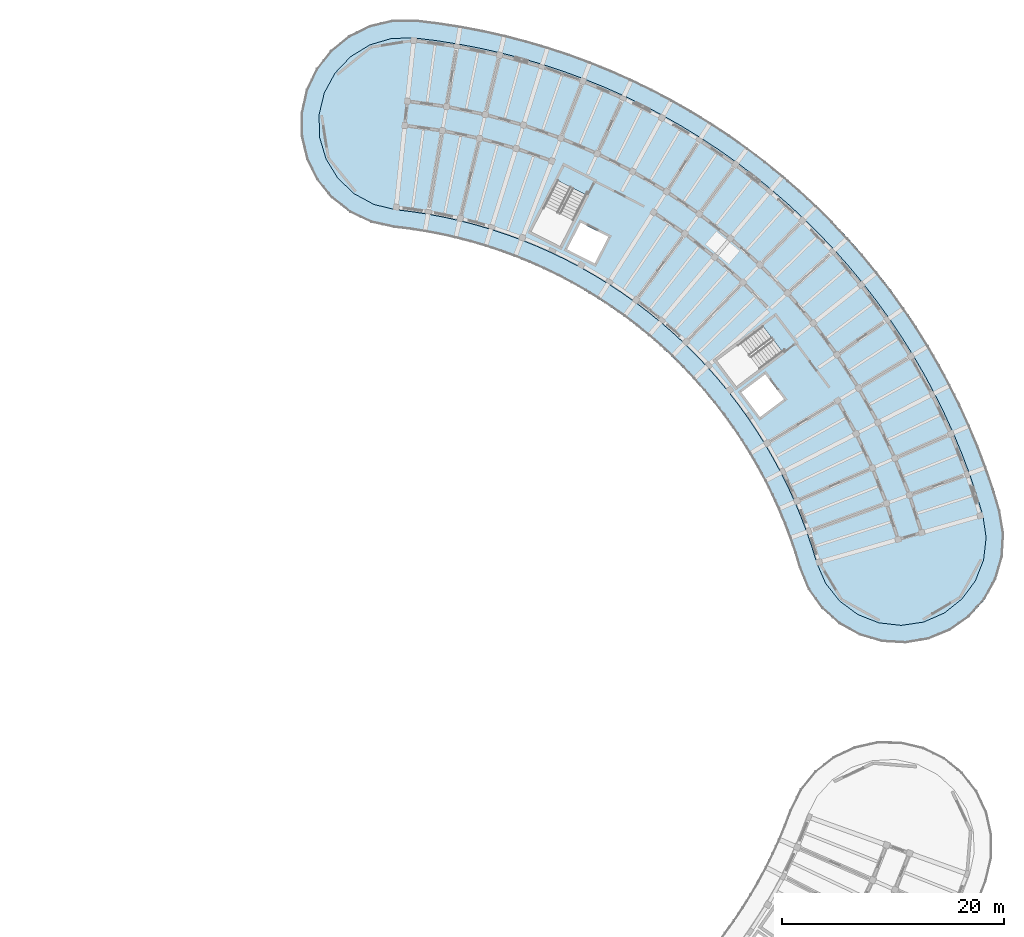
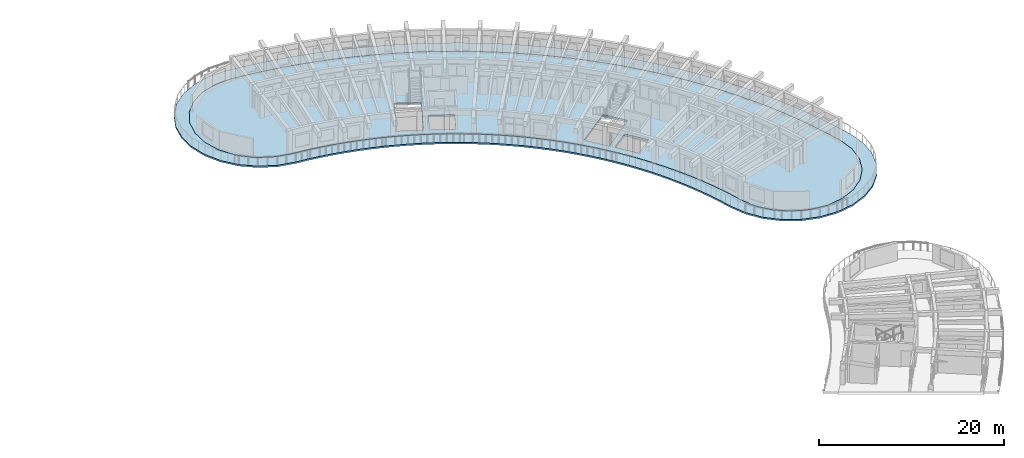
# One storey, part 35 of 78: 2 slabs.
"""IFC4 building model written with IfcOpenShell, lengths in metres."""

from ifc_helpers import new_model, si_unit, direction, frame, origin, place, context, subcontext, project, spatial, polyline, outline, extrude, material, layer, layer_set, type_object, element, save


model = new_model("IFC4")

# Units and contexts
model_context = context("Model", 3, precision=1e-05, world=origin(), true_north=direction((0.0, 1.0)))
body_context = subcontext(model_context, "Body", "Model", "MODEL_VIEW")
ifc_project = project(units=[si_unit("LENGTHUNIT", "METRE"), si_unit("AREAUNIT", "SQUARE_METRE"), si_unit("VOLUMEUNIT", "CUBIC_METRE"), si_unit("PLANEANGLEUNIT", "RADIAN"), si_unit("MASSUNIT", "GRAM", prefix="KILO")], contexts=[model_context])

# Site, building, storey
site_placement = place(None, origin())
site = spatial("IfcSite", under=ifc_project, at=site_placement, CompositionType="ELEMENT")
building_placement = place(site_placement, origin())
building = spatial("IfcBuilding", under=site, at=building_placement, Name="Tanwirah Colonnade Gardens", CompositionType="ELEMENT")
storey_placement = place(building_placement, frame((0.0, 0.0, 22.280029296875)))
storey = spatial("IfcBuildingStorey", under=building, at=storey_placement, Name="L06", CompositionType="ELEMENT", Elevation=22.280029296875)

# Slabs
ifc_material_1 = material(Name="White architectural precast concrete C40/50", Category="concrete")
ifc_layer_1 = layer(ifc_material_1, 0.199951171875)
ifc_layer_set_1 = layer_set([ifc_layer_1], Name="White architectural precast concrete C40/50")
slab_type_1 = type_object("IfcSlabType", Name="SL-BAL-200", PredefinedType="FLOOR", material=ifc_layer_set_1)
slab_1_placement = place(storey_placement, frame((0.0, 0.0, -0.199951171875)))
element("IfcSlab", 1, at=slab_1_placement, inside=storey, type_object=slab_type_1, Name="Block B L06 Continuous White Balcony Ribbon", PredefinedType="FLOOR", context=body_context, shape_type="SweptSolid", body=[
    extrude(outline(polyline([(162.7529296875, 69.996337890625), (163.96875, 68.2783203125), (165.53662109375, 66.873779296875), (167.37744140625, 65.853271484375), (169.3994140625, 65.267822265625), (171.5009765625, 65.147216796875), (173.57666015625, 65.497314453125), (175.522216796875, 66.30029296875), (177.240478515625, 67.516357421875), (178.64501953125, 69.083984375), (179.66552734375, 70.925048828125), (180.250732421875, 72.947021484375), (180.37158203125, 75.048583984375), (180.021484375, 77.1240234375), (179.431640625, 79.060302734375), (178.778076171875, 80.97607421875), (178.06201171875, 82.869140625), (177.28369140625, 84.73779296875), (176.4443359375, 86.57958984375), (175.544677734375, 88.392822265625), (174.585693359375, 90.17529296875), (173.568603515625, 91.92529296875), (172.494384765625, 93.640869140625), (171.3642578125, 95.320068359375), (170.17919921875, 96.9609375), (168.940673828125, 98.56201171875), (167.650146484375, 100.121337890625), (166.30908203125, 101.63720703125), (164.91845703125, 103.108154296875), (163.48046875, 104.532470703125), (161.99609375, 105.90869140625), (160.467041015625, 107.235107421875), (158.895263671875, 108.510498046875), (157.282470703125, 109.7333984375), (155.6298828125, 110.90234375), (153.93994140625, 112.01611328125), (152.214111328125, 113.07373046875), (150.454345703125, 114.073974609375), (148.66259765625, 115.015380859375), (146.8408203125, 115.8974609375), (144.990966796875, 116.718994140625), (143.114990234375, 117.47900390625), (141.21484375, 118.1767578125), (139.29296875, 118.811767578125), (137.35107421875, 119.3828125), (135.391357421875, 119.8896484375), (133.416259765625, 120.33154296875), (131.427490234375, 120.7080078125), (129.42724609375, 121.018798828125), (127.41796875, 121.263671875), (125.313232421875, 121.247802734375), (123.2646484375, 120.76416015625), (121.375, 119.836669921875), (119.7392578125, 118.511962890625), (118.439208984375, 116.8564453125), (117.5400390625, 114.953369140625), (117.0869140625, 112.897705078125), (117.102783203125, 110.792724609375), (117.58642578125, 108.744140625), (118.513916015625, 106.854736328125), (119.838623046875, 105.21875), (121.494140625, 103.918701171875), (123.397216796875, 103.019775390625), (125.452880859375, 102.566650390625), (126.846923828125, 102.396728515625), (128.234619140625, 102.18115234375), (129.614501953125, 101.919921875), (130.98486328125, 101.61328125), (132.344482421875, 101.26171875), (133.69189453125, 100.865478515625), (135.025390625, 100.425048828125), (136.343505859375, 99.94091796875), (137.645263671875, 99.41357421875), (138.9287109375, 98.843505859375), (140.192626953125, 98.231689453125), (141.435791015625, 97.578369140625), (142.65673828125, 96.884521484375), (143.85400390625, 96.150634765625), (145.026611328125, 95.3779296875), (146.173095703125, 94.566650390625), (147.292236328125, 93.71826171875), (148.3828125, 92.83349609375), (149.443603515625, 91.9130859375), (150.473388671875, 90.95849609375), (151.47119140625, 89.97021484375), (152.435791015625, 88.94970703125), (153.366455078125, 87.89794921875), (154.26171875, 86.81591796875), (155.12109375, 85.705078125), (155.943115234375, 84.566650390625), (156.727294921875, 83.401611328125), (157.47265625, 82.21142578125), (158.178466796875, 80.997314453125), (158.84375, 79.760498046875), (159.468017578125, 78.50244140625), (160.05029296875, 77.224609375), (160.590087890625, 75.92822265625), (161.087158203125, 74.61474609375), (161.54052734375, 73.28564453125), (161.94970703125, 71.942138671875), (162.7529296875, 69.996337890625)]), holes=[polyline([(164.31689453125, 70.526123046875), (163.506591796875, 72.39013671875), (163.082275390625, 73.78271484375), (163.08203125, 73.783447265625), (162.611572265625, 75.16259765625), (162.611328125, 75.1630859375), (162.095947265625, 76.52587890625), (162.095703125, 76.526611328125), (161.535400390625, 77.87158203125), (161.53515625, 77.872314453125), (160.930908203125, 79.1982421875), (160.9306640625, 79.19873046875), (160.282958984375, 80.504150390625), (160.28271484375, 80.504638671875), (159.59228515625, 81.787841796875), (159.592041015625, 81.788330078125), (158.85986328125, 83.048095703125), (158.859619140625, 83.048828125), (158.086181640625, 84.28369140625), (158.0859375, 84.2841796875), (157.272216796875, 85.492919921875), (157.271728515625, 85.493408203125), (156.418701171875, 86.6748046875), (156.41845703125, 86.67529296875), (155.52685546875, 87.827880859375), (155.526611328125, 87.828369140625), (154.597412109375, 88.950927734375), (154.59716796875, 88.951416015625), (153.631591796875, 90.042724609375), (153.631103515625, 90.043212890625), (152.630126953125, 91.10205078125), (152.629638671875, 91.1025390625), (151.594482421875, 92.1279296875), (151.593994140625, 92.12841796875), (150.525390625, 93.118896484375), (150.52490234375, 93.119384765625), (149.42431640625, 94.07421875), (149.423828125, 94.07470703125), (148.292236328125, 94.99267578125), (148.291748046875, 94.9931640625), (147.130615234375, 95.87353515625), (147.130126953125, 95.873779296875), (145.940673828125, 96.71533203125), (145.940185546875, 96.7158203125), (144.723388671875, 97.517578125), (144.722900390625, 97.51806640625), (143.48046875, 98.279296875), (143.47998046875, 98.279541015625), (142.213134765625, 98.99951171875), (142.212646484375, 99.0), (140.9228515625, 99.677734375), (140.922119140625, 99.677978515625), (139.61083984375, 100.31298828125), (139.610107421875, 100.313232421875), (138.2783203125, 100.904541015625), (138.27783203125, 100.90478515625), (136.92724609375, 101.451904296875), (136.9267578125, 101.4521484375), (135.55908203125, 101.95458984375), (135.558349609375, 101.954833984375), (134.1748046875, 102.411865234375), (134.174072265625, 102.411865234375), (132.7763671875, 102.822998046875), (132.775634765625, 102.8232421875), (131.364990234375, 103.18798828125), (131.3642578125, 103.188232421875), (129.9423828125, 103.50634765625), (129.941650390625, 103.506591796875), (128.510009765625, 103.777587890625), (128.509521484375, 103.777587890625), (127.069580078125, 104.00146484375), (127.069091796875, 104.00146484375), (125.623779296875, 104.177490234375), (123.6474609375, 104.652099609375), (121.862548828125, 105.62109375), (120.389404296875, 107.01904296875), (119.328369140625, 108.750732421875), (118.75146484375, 110.697998046875), (118.6982421875, 112.728271484375), (119.17236328125, 114.703125), (120.141357421875, 116.488037109375), (121.53955078125, 117.961181640625), (123.271240234375, 119.0224609375), (125.218505859375, 119.59912109375), (127.249755859375, 119.65234375), (129.204833984375, 119.414306640625), (131.15234375, 119.111572265625), (133.088623046875, 118.744873046875), (135.01171875, 118.314697265625), (136.919677734375, 117.8212890625), (138.810302734375, 117.26513671875), (140.681640625, 116.647216796875), (142.531494140625, 115.9677734375), (144.35791015625, 115.227783203125), (146.158935546875, 114.427978515625), (147.932861328125, 113.5693359375), (149.67724609375, 112.652587890625), (151.390625, 111.6787109375), (153.07080078125, 110.649169921875), (154.71630859375, 109.564453125), (156.3251953125, 108.42626953125), (157.8955078125, 107.23583984375), (159.42578125, 105.994140625), (160.914306640625, 104.70263671875), (162.359619140625, 103.36279296875), (163.759765625, 101.97607421875), (165.113525390625, 100.5439453125), (166.41943359375, 99.068115234375), (167.67578125, 97.5498046875), (168.881591796875, 95.990966796875), (170.035400390625, 94.393310546875), (171.1357421875, 92.758544921875), (172.181640625, 91.08837890625), (173.171875, 89.384521484375), (174.10546875, 87.64892578125), (174.9814453125, 85.883544921875), (175.798828125, 84.09033203125), (176.556396484375, 82.271240234375), (177.253662109375, 80.427978515625), (177.889892578125, 78.562744140625), (178.4638671875, 76.6787109375), (178.76416015625, 74.6689453125), (178.534423828125, 72.651123046875), (177.7900390625, 70.761474609375), (176.58203125, 69.12890625), (174.992431640625, 67.864501953125), (173.130126953125, 67.0546875), (171.121337890625, 66.75439453125), (169.103515625, 66.984375), (167.2138671875, 67.728759765625), (165.581298828125, 68.936767578125), (164.31689453125, 70.526123046875)])]), origin(), (0.0, 0.0, 1.0), 0.199951171875),
])
ifc_material_2 = material(Name="Precast concrete C40/50", Category="concrete")
ifc_layer_2 = layer(ifc_material_2, 0.25)
ifc_layer_set_2 = layer_set([ifc_layer_2], Name="Precast concrete C40/50")
slab_type_2 = type_object("IfcSlabType", Name="SL-RES-250", PredefinedType="FLOOR", material=ifc_layer_set_2)
slab_2_placement = place(storey_placement, frame((0.0, 0.0, -0.25)))
element("IfcSlab", 2, at=slab_2_placement, inside=storey, type_object=slab_type_2, Name="Block B L06 Precast Composite Floor Slab", PredefinedType="FLOOR", context=body_context, shape_type="SweptSolid", body=[
    extrude(outline(polyline([(162.5927734375, 75.156005859375), (163.06298828125, 73.777099609375), (163.48779296875, 72.383056640625), (164.2998046875, 70.515869140625), (165.5673828125, 68.92236328125), (167.2041015625, 67.711181640625), (169.0986328125, 66.96484375), (171.121826171875, 66.734375), (173.135498046875, 67.035400390625), (175.0029296875, 67.84716796875), (176.596435546875, 69.11474609375), (177.8076171875, 70.751708984375), (178.553955078125, 72.646240234375), (178.784423828125, 74.669189453125), (178.4833984375, 76.68310546875), (177.908935546875, 78.56884765625), (177.2724609375, 80.434814453125), (176.574951171875, 82.278564453125), (175.817138671875, 84.098388671875), (174.99951171875, 85.892333984375), (174.123291015625, 87.658203125), (173.189453125, 89.394287109375), (172.19873046875, 91.0986328125), (171.152587890625, 92.76953125), (170.0517578125, 94.40478515625), (168.897705078125, 96.0029296875), (167.69140625, 97.562255859375), (166.4345703125, 99.0810546875), (165.12841796875, 100.5576171875), (163.774169921875, 101.990234375), (162.37353515625, 103.377197265625), (160.927734375, 104.717529296875), (159.438720703125, 106.009521484375), (157.907958984375, 107.25146484375), (156.3369140625, 108.442626953125), (154.7275390625, 109.5810546875), (153.08154296875, 110.666015625), (151.400634765625, 111.696044921875), (149.686767578125, 112.669921875), (147.94189453125, 113.587158203125), (146.16748046875, 114.446044921875), (144.36572265625, 115.24609375), (142.53857421875, 115.986328125), (140.688232421875, 116.666015625), (138.816162109375, 117.284423828125), (136.925048828125, 117.840576171875), (135.016357421875, 118.334228515625), (133.092529296875, 118.7646484375), (131.15576171875, 119.13134765625), (129.207763671875, 119.43408203125), (127.250732421875, 119.67236328125), (125.21533203125, 119.619140625), (123.262939453125, 119.040771484375), (121.52685546875, 117.976806640625), (120.125244140625, 116.499755859375), (119.153564453125, 114.71044921875), (118.67822265625, 112.73046875), (118.7314453125, 110.695068359375), (119.309814453125, 108.74267578125), (120.373779296875, 107.00634765625), (121.850830078125, 105.604736328125), (123.64013671875, 104.63330078125), (125.6201171875, 104.157958984375), (127.066650390625, 103.981689453125), (128.50634765625, 103.758056640625), (129.93798828125, 103.48681640625), (131.35986328125, 103.168701171875), (132.770751953125, 102.803955078125), (134.16845703125, 102.392822265625), (135.552001953125, 101.935791015625), (136.919921875, 101.433349609375), (138.270263671875, 100.88623046875), (139.60205078125, 100.294921875), (140.91357421875, 99.659912109375), (142.203369140625, 98.982177734375), (143.47021484375, 98.26220703125), (144.71240234375, 97.5009765625), (145.92919921875, 96.698974609375), (147.11865234375, 95.857421875), (148.27978515625, 94.977294921875), (149.4111328125, 94.05908203125), (150.51171875, 93.104248046875), (151.580322265625, 92.11376953125), (152.61572265625, 91.08837890625), (153.61669921875, 90.029541015625), (154.58203125, 88.938232421875), (155.510986328125, 87.815673828125), (156.402587890625, 86.6630859375), (157.255615234375, 85.48193359375), (158.0693359375, 84.27294921875), (158.842529296875, 83.0380859375), (159.57470703125, 81.7783203125), (160.26513671875, 80.4951171875), (160.91259765625, 79.18994140625), (161.516845703125, 77.864013671875), (162.0771484375, 76.518798828125), (162.5927734375, 75.156005859375)]), holes=[polyline([(160.4169921875, 91.38427734375), (156.2666015625, 88.256591796875), (154.512939453125, 90.583740234375), (158.663330078125, 93.71142578125), (160.4169921875, 91.38427734375)]), polyline([(158.402587890625, 85.5048828125), (156.717529296875, 87.7412109375), (158.873779296875, 89.365966796875), (160.558837890625, 87.1298828125), (158.402587890625, 85.5048828125)]), polyline([(137.8017578125, 102.199951171875), (140.1611328125, 106.830322265625), (142.757568359375, 105.507568359375), (140.398193359375, 100.876953125), (137.8017578125, 102.199951171875)]), polyline([(142.255126953125, 103.01708984375), (144.75, 101.745849609375), (143.524169921875, 99.34033203125), (141.029541015625, 100.611328125), (142.255126953125, 103.01708984375)])]), origin(), (0.0, 0.0, 1.0), 0.25),
])

save(model, "model.ifc")
